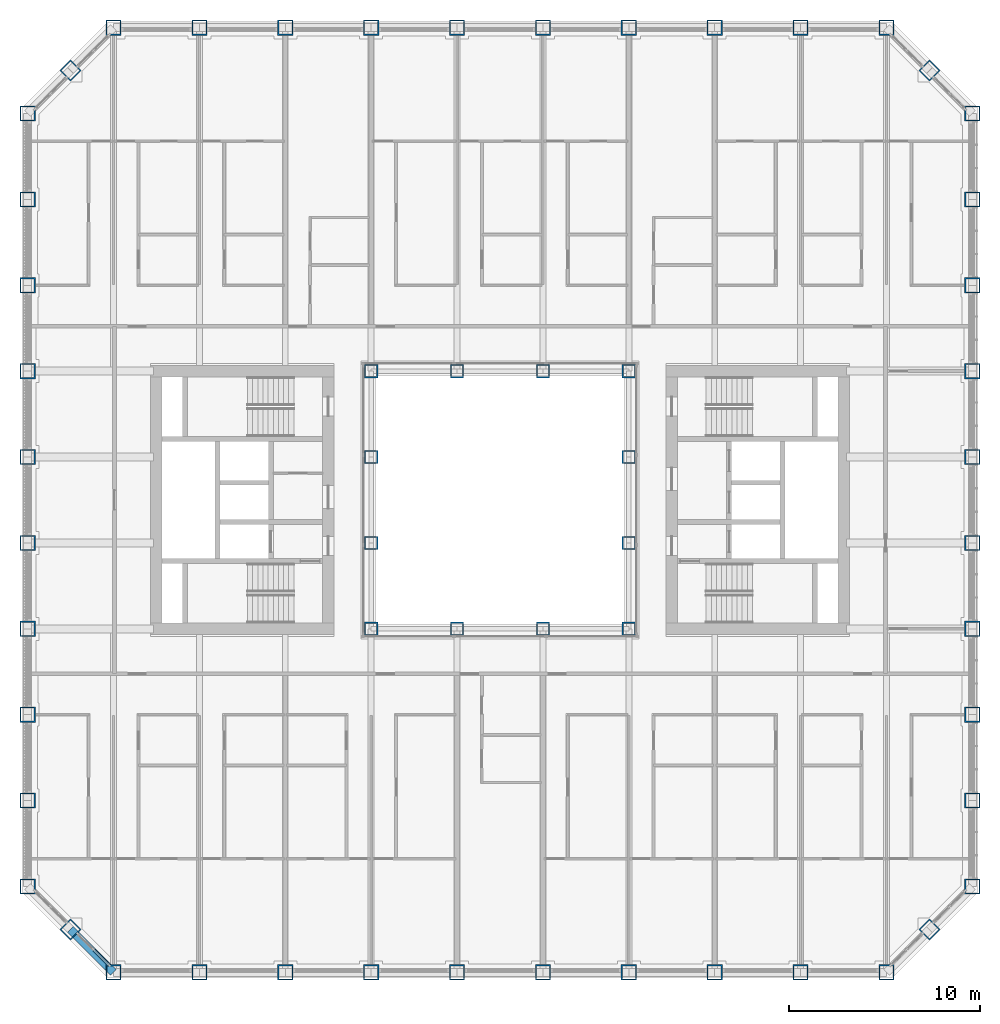
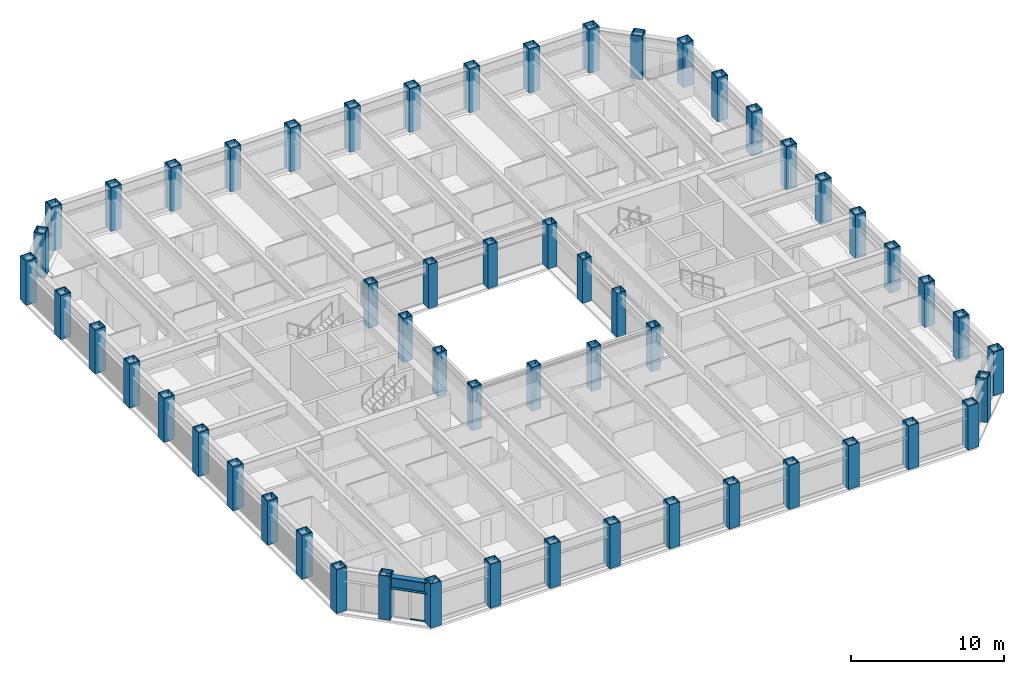
# One storey, part 1 of 20: 56 columns, 2 members, 1 beam, 1 element without a shape of its own.
"""IFC4 building model written with IfcOpenShell, lengths in metres."""

from ifc_helpers import new_model, si_unit, direction, frame, origin, origin_2d, place, context, subcontext, project, spatial, rectangle, hollow_rectangle, i_section, extrude, material, material_profile, profile_set, type_object, element, aggregate, save


model = new_model("IFC4")

# Units and contexts
model_context = context("Model", 3, precision=1e-05, world=origin(), true_north=direction((0.0, 1.0)))
body_context = subcontext(model_context, "Body", "Model", "MODEL_VIEW")
ifc_project = project(units=[si_unit("LENGTHUNIT", "METRE"), si_unit("AREAUNIT", "SQUARE_METRE"), si_unit("VOLUMEUNIT", "CUBIC_METRE"), si_unit("PLANEANGLEUNIT", "RADIAN"), si_unit("MASSUNIT", "GRAM", prefix="KILO")], contexts=[model_context])

# Site, building, storey
site_placement = place(None, origin())
site = spatial("IfcSite", under=ifc_project, at=site_placement, CompositionType="ELEMENT")
building_placement = place(site_placement, origin())
building = spatial("IfcBuilding", under=site, at=building_placement, Name="Msasa Ring Tower", CompositionType="ELEMENT")
storey_placement = place(building_placement, frame((0.0, 0.0, 61.5)))
storey = spatial("IfcBuildingStorey", under=building, at=storey_placement, Name="L15", CompositionType="ELEMENT", Elevation=61.5)

# Columns
ifc_material_1 = material(Name="Steel S355", Category="steel")
ifc_material_profile_1 = material_profile(ifc_material_1, hollow_rectangle(XDim=0.699951171875, YDim=0.699951171875, WallThickness=0.06005859375, at=origin_2d()), Name="BOX 700x700x60")
ifc_profile_set_1 = profile_set([ifc_material_profile_1], Name="Steel S355")
column_type_1 = type_object("IfcColumnType", Name="IC2 BOX 700x700x60", PredefinedType="COLUMN", material=ifc_profile_set_1)
for number, where, z_axis, x_axis, name in (
    (1, (-6.75, -6.75, 0.0), (0.0, 0.0, 1.0), (1.0, 0.0, 0.0), "Inner ring column IR-6.75-6.75 L15"),
    (2, (-6.75, -2.25, 0.0), (0.0, 0.0, 1.0), (1.0, 0.0, 0.0), "Inner ring column IR-6.75-2.25 L15"),
    (3, (-6.75, 2.25, 0.0), (0.0, 0.0, 1.0), (1.0, 0.0, 0.0), "Inner ring column IR-6.75+2.25 L15"),
    (4, (-6.75, 6.75, 0.0), (0.0, 0.0, 1.0), (1.0, 0.0, 0.0), "Inner ring column IR-6.75+6.75 L15"),
    (5, (-2.25, -6.75, 0.0), (0.0, 0.0, 1.0), (1.0, 0.0, 0.0), "Inner ring column IR-2.25-6.75 L15"),
    (6, (-2.25, 6.75, 0.0), (0.0, 0.0, 1.0), (1.0, 0.0, 0.0), "Inner ring column IR-2.25+6.75 L15"),
    (7, (2.25, -6.75, 0.0), (0.0, 0.0, 1.0), (1.0, 0.0, 0.0), "Inner ring column IR+2.25-6.75 L15"),
    (8, (2.25, 6.75, 0.0), (0.0, 0.0, 1.0), (1.0, 0.0, 0.0), "Inner ring column IR+2.25+6.75 L15"),
    (9, (6.75, -6.75, 0.0), (0.0, 0.0, 1.0), (1.0, 0.0, 0.0), "Inner ring column IR+6.75-6.75 L15"),
    (10, (6.75, -2.25, 0.0), (0.0, 0.0, 1.0), (1.0, 0.0, 0.0), "Inner ring column IR+6.75-2.25 L15"),
    (11, (6.75, 2.25, 0.0), (0.0, 0.0, 1.0), (1.0, 0.0, 0.0), "Inner ring column IR+6.75+2.25 L15"),
    (12, (6.75, 6.75, 0.0), (0.0, 0.0, 1.0), (1.0, 0.0, 0.0), "Inner ring column IR+6.75+6.75 L15"),
):
    element("IfcColumn", number, at=place(storey_placement, frame(where, z_axis=z_axis, x_axis=x_axis)), inside=storey, type_object=column_type_1, Name=name, PredefinedType="COLUMN", context=body_context, shape_type="SweptSolid", body=[
        extrude(hollow_rectangle(XDim=0.699951171875, YDim=0.699951171875, WallThickness=0.06005859375, at=origin_2d()), origin(), (0.0, 0.0, 1.0), 3.5),
    ])
ifc_material_2 = material(Name="Steel S355", Category="steel")
ifc_material_profile_2 = material_profile(ifc_material_2, hollow_rectangle(XDim=0.800048828125, YDim=0.800048828125, WallThickness=0.06005859375, at=origin_2d()), Name="BOX 800x800x60")
ifc_profile_set_2 = profile_set([ifc_material_profile_2], Name="Steel S355")
column_type_2 = type_object("IfcColumnType", Name="TC3 BOX 800x800x60", PredefinedType="COLUMN", material=ifc_profile_set_2)
for number, where, z_axis, x_axis, name in (
    (13, (-20.25, -24.75, 0.0), (0.0, 0.0, 1.0), (0.0, 1.0, 0.0), "Tube column S-20.25 L15"),
    (14, (-20.25, 24.75, 0.0), (0.0, 0.0, 1.0), (0.0, 1.0, 0.0), "Tube column N-20.25 L15"),
    (15, (24.75, -20.25, 0.0), (0.0, 0.0, 1.0), (1.0, 0.0, 0.0), "Tube column E-20.25 L15"),
    (16, (-24.75, -20.25, 0.0), (0.0, 0.0, 1.0), (1.0, 0.0, 0.0), "Tube column W-20.25 L15"),
    (17, (-15.75, -24.75, 0.0), (0.0, 0.0, 1.0), (0.0, 1.0, 0.0), "Tube column S-15.75 L15"),
    (18, (-15.75, 24.75, 0.0), (0.0, 0.0, 1.0), (0.0, 1.0, 0.0), "Tube column N-15.75 L15"),
    (19, (24.75, -15.75, 0.0), (0.0, 0.0, 1.0), (1.0, 0.0, 0.0), "Tube column E-15.75 L15"),
    (20, (-24.75, -15.75, 0.0), (0.0, 0.0, 1.0), (1.0, 0.0, 0.0), "Tube column W-15.75 L15"),
    (21, (-11.25, -24.75, 0.0), (0.0, 0.0, 1.0), (0.0, 1.0, 0.0), "Tube column S-11.25 L15"),
    (22, (-11.25, 24.75, 0.0), (0.0, 0.0, 1.0), (0.0, 1.0, 0.0), "Tube column N-11.25 L15"),
    (23, (24.75, -11.25, 0.0), (0.0, 0.0, 1.0), (1.0, 0.0, 0.0), "Tube column E-11.25 L15"),
    (24, (-24.75, -11.25, 0.0), (0.0, 0.0, 1.0), (1.0, 0.0, 0.0), "Tube column W-11.25 L15"),
    (25, (-6.75, -24.75, 0.0), (0.0, 0.0, 1.0), (0.0, 1.0, 0.0), "Tube column S-6.75 L15"),
    (26, (-6.75, 24.75, 0.0), (0.0, 0.0, 1.0), (0.0, 1.0, 0.0), "Tube column N-6.75 L15"),
    (27, (24.75, -6.75, 0.0), (0.0, 0.0, 1.0), (1.0, 0.0, 0.0), "Tube column E-6.75 L15"),
    (28, (-24.75, -6.75, 0.0), (0.0, 0.0, 1.0), (1.0, 0.0, 0.0), "Tube column W-6.75 L15"),
    (29, (-2.25, -24.75, 0.0), (0.0, 0.0, 1.0), (0.0, 1.0, 0.0), "Tube column S-2.25 L15"),
    (30, (-2.25, 24.75, 0.0), (0.0, 0.0, 1.0), (0.0, 1.0, 0.0), "Tube column N-2.25 L15"),
    (31, (24.75, -2.25, 0.0), (0.0, 0.0, 1.0), (1.0, 0.0, 0.0), "Tube column E-2.25 L15"),
    (32, (-24.75, -2.25, 0.0), (0.0, 0.0, 1.0), (1.0, 0.0, 0.0), "Tube column W-2.25 L15"),
    (33, (2.25, -24.75, 0.0), (0.0, 0.0, 1.0), (0.0, 1.0, 0.0), "Tube column S+2.25 L15"),
    (34, (2.25, 24.75, 0.0), (0.0, 0.0, 1.0), (0.0, 1.0, 0.0), "Tube column N+2.25 L15"),
    (35, (24.75, 2.25, 0.0), (0.0, 0.0, 1.0), (1.0, 0.0, 0.0), "Tube column E+2.25 L15"),
    (36, (-24.75, 2.25, 0.0), (0.0, 0.0, 1.0), (1.0, 0.0, 0.0), "Tube column W+2.25 L15"),
    (37, (6.75, -24.75, 0.0), (0.0, 0.0, 1.0), (0.0, 1.0, 0.0), "Tube column S+6.75 L15"),
    (38, (6.75, 24.75, 0.0), (0.0, 0.0, 1.0), (0.0, 1.0, 0.0), "Tube column N+6.75 L15"),
    (39, (24.75, 6.75, 0.0), (0.0, 0.0, 1.0), (1.0, 0.0, 0.0), "Tube column E+6.75 L15"),
    (40, (-24.75, 6.75, 0.0), (0.0, 0.0, 1.0), (1.0, 0.0, 0.0), "Tube column W+6.75 L15"),
    (41, (11.25, -24.75, 0.0), (0.0, 0.0, 1.0), (0.0, 1.0, 0.0), "Tube column S+11.25 L15"),
    (42, (11.25, 24.75, 0.0), (0.0, 0.0, 1.0), (0.0, 1.0, 0.0), "Tube column N+11.25 L15"),
    (43, (24.75, 11.25, 0.0), (0.0, 0.0, 1.0), (1.0, 0.0, 0.0), "Tube column E+11.25 L15"),
    (44, (-24.75, 11.25, 0.0), (0.0, 0.0, 1.0), (1.0, 0.0, 0.0), "Tube column W+11.25 L15"),
    (45, (15.75, -24.75, 0.0), (0.0, 0.0, 1.0), (0.0, 1.0, 0.0), "Tube column S+15.75 L15"),
    (46, (15.75, 24.75, 0.0), (0.0, 0.0, 1.0), (0.0, 1.0, 0.0), "Tube column N+15.75 L15"),
    (47, (24.75, 15.75, 0.0), (0.0, 0.0, 1.0), (1.0, 0.0, 0.0), "Tube column E+15.75 L15"),
    (48, (-24.75, 15.75, 0.0), (0.0, 0.0, 1.0), (1.0, 0.0, 0.0), "Tube column W+15.75 L15"),
    (49, (20.25, -24.75, 0.0), (0.0, 0.0, 1.0), (0.0, 1.0, 0.0), "Tube column S+20.25 L15"),
    (50, (20.25, 24.75, 0.0), (0.0, 0.0, 1.0), (0.0, 1.0, 0.0), "Tube column N+20.25 L15"),
    (51, (24.75, 20.25, 0.0), (0.0, 0.0, 1.0), (1.0, 0.0, 0.0), "Tube column E+20.25 L15"),
    (52, (-24.75, 20.25, 0.0), (0.0, 0.0, 1.0), (1.0, 0.0, 0.0), "Tube column W+20.25 L15"),
    (53, (22.5, -22.5, 0.0), (0.0, 0.0, 1.0), (0.707106781187, -0.707106781187, 0.0), "Tube column SE L15"),
    (54, (22.5, 22.5, 0.0), (0.0, 0.0, 1.0), (0.707106781187, 0.707106781187, 0.0), "Tube column NE L15"),
    (55, (-22.5, 22.5, 0.0), (0.0, 0.0, 1.0), (0.707106781187, -0.707106781187, 0.0), "Tube column NW L15"),
    (56, (-22.5, -22.5, 0.0), (0.0, 0.0, 1.0), (0.707106781187, 0.707106781187, 0.0), "Tube column SW L15"),
):
    element("IfcColumn", number, at=place(storey_placement, frame(where, z_axis=z_axis, x_axis=x_axis)), inside=storey, type_object=column_type_2, Name=name, PredefinedType="COLUMN", context=body_context, shape_type="SweptSolid", body=[
        extrude(hollow_rectangle(XDim=0.800048828125, YDim=0.800048828125, WallThickness=0.06005859375, at=origin_2d()), origin(), (0.0, 0.0, 1.0), 3.5),
    ])

# Curtain wall, members
ifc_material_3 = material(Name="Aluminium curtain wall with clear glass", Category="aluminium")
curtain_wall_type = type_object("IfcCurtainWallType", Name="CW-C CHAMFER CORNER CURTAIN WALL", PredefinedType="NOTDEFINED", material=ifc_material_3)
curtain_wall_placement = place(storey_placement, origin())
curtain_wall = element("IfcCurtainWall", 57, at=curtain_wall_placement, inside=storey, type_object=curtain_wall_type, Name="Chamfer corner curtain wall SW L15", PredefinedType="NOTDEFINED")
ifc_material_4 = material(Name="Aluminium transom", Category="aluminium")
ifc_material_profile_3 = material_profile(ifc_material_4, rectangle(XDim=0.139892578125, YDim=0.06494140625, at=origin_2d()), Name="AL 65x140")
ifc_profile_set_3 = profile_set([ifc_material_profile_3], Name="Aluminium transom")
member_type = type_object("IfcMemberType", Name="CW-C TRANSOM 65x140", PredefinedType="USERDEFINED", material=ifc_profile_set_3)
member_1_placement = place(storey_placement, frame((-21.28125, -23.577392578125, 0.032470703125), z_axis=(0.707106781187, -0.707106781187, 0.0), x_axis=(0.707106781187, 0.707106781187, 0.0)))
member_1 = element("IfcMember", 58, at=member_1_placement, type_object=member_type, Name="CW-C transom 2.1", ObjectType="TRANSOM", PredefinedType="USERDEFINED", context=body_context, shape_type="SweptSolid", body=[
    extrude(rectangle(XDim=0.139892578125, YDim=0.06494140625, at=origin_2d()), origin(), (0.0, 0.0, 1.0), 1.08837890625),
])
member_2_placement = place(storey_placement, frame((-21.28125, -23.577392578125, 2.346435546875), z_axis=(0.707106781187, -0.707106781187, 0.0), x_axis=(0.707106781187, 0.707106781187, 0.0)))
member_2 = element("IfcMember", 59, at=member_2_placement, type_object=member_type, Name="CW-C transom 2.2", ObjectType="TRANSOM", PredefinedType="USERDEFINED", context=body_context, shape_type="SweptSolid", body=[
    extrude(rectangle(XDim=0.139892578125, YDim=0.06494140625, at=origin_2d()), origin(), (0.0, 0.0, 1.0), 1.08837890625),
])
aggregate(curtain_wall, [member_1, member_2])

# Beam
ifc_material_5 = material(Name="Steel S355", Category="steel")
ifc_material_profile_4 = material_profile(ifc_material_5, i_section(OverallWidth=0.42041015625, OverallDepth=0.9208984375, WebThickness=0.021484375, FlangeThickness=0.03662109375, FilletRadius=0.024169921875, at=origin_2d()), Name="UB 914x419x388")
ifc_profile_set_4 = profile_set([ifc_material_profile_4], Name="Steel S355")
beam_type = type_object("IfcBeamType", Name="SB1 UB 914x419x388", PredefinedType="SPANDREL", material=ifc_profile_set_4)
beam_placement = place(storey_placement, frame((-22.5, -22.5, 2.839599609375), z_axis=(0.707106781187, -0.707106781187, 0.0), x_axis=(0.707106781187, 0.707106781187, 0.0)))
element("IfcBeam", 60, at=beam_placement, inside=storey, type_object=beam_type, Name="Spandrel SW to S-20.25 under L16", PredefinedType="SPANDREL", context=body_context, shape_type="SweptSolid", body=[
    extrude(i_section(OverallWidth=0.42041015625, OverallDepth=0.9208984375, WebThickness=0.021484375, FlangeThickness=0.03662109375, FilletRadius=0.024169921875, at=origin_2d()), origin(), (0.0, 0.0, 1.0), 3.181884765625),
])

save(model, "model.ifc")
